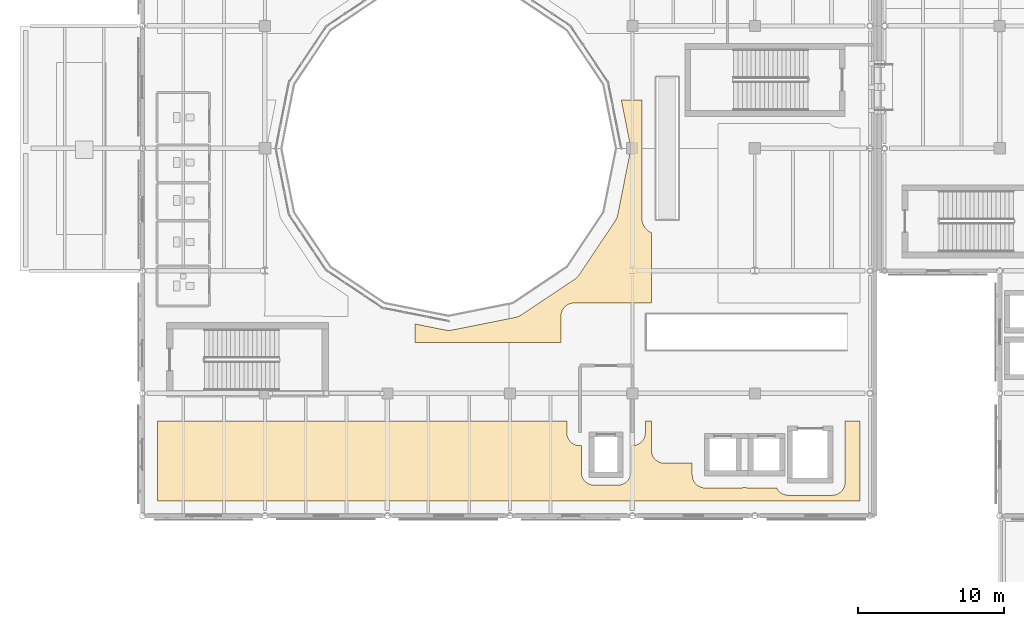
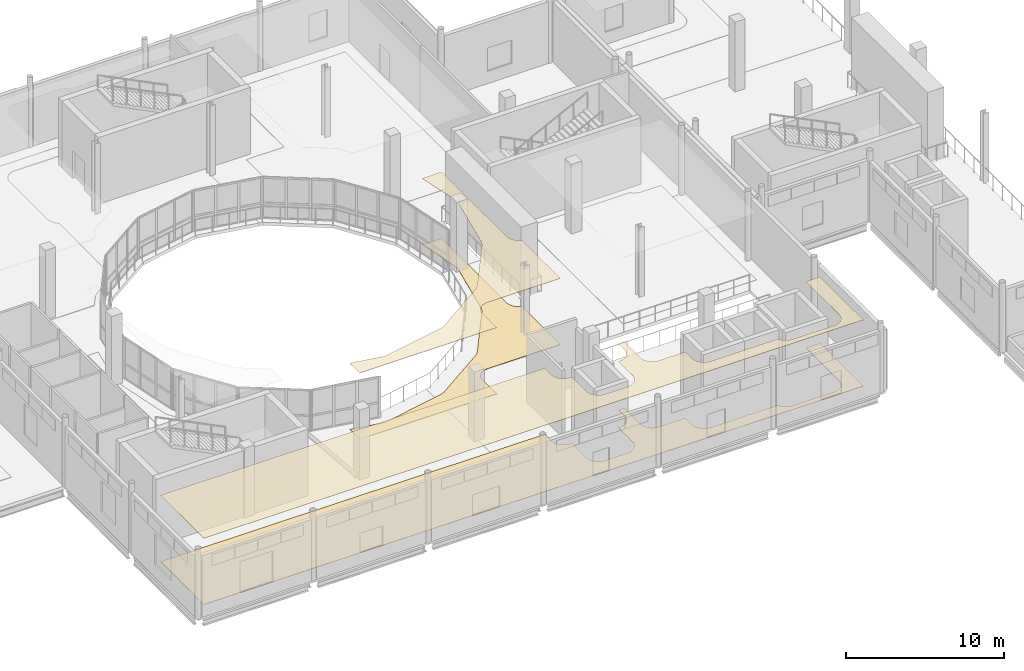
# One storey, part 88 of 110: 4 coverings.
"""IFC4 building model written with IfcOpenShell, lengths in metres."""

from ifc_helpers import new_model, si_unit, direction, frame, origin, place, context, subcontext, project, spatial, polyline, outline, extrude, material, layer, layer_set, type_object, element, save


model = new_model("IFC4")

# Units and contexts
model_context = context("Model", 3, precision=1e-05, world=origin(), true_north=direction((0.0, 1.0)))
body_context = subcontext(model_context, "Body", "Model", "MODEL_VIEW")
ifc_project = project(units=[si_unit("LENGTHUNIT", "METRE"), si_unit("AREAUNIT", "SQUARE_METRE"), si_unit("VOLUMEUNIT", "CUBIC_METRE"), si_unit("PLANEANGLEUNIT", "RADIAN"), si_unit("MASSUNIT", "GRAM", prefix="KILO"), si_unit("THERMODYNAMICTEMPERATUREUNIT", "KELVIN")], contexts=[model_context])

# Site, building, storey
site_placement = place(None, origin())
site = spatial("IfcSite", under=ifc_project, at=site_placement, CompositionType="ELEMENT")
building_placement = place(site_placement, origin())
building = spatial("IfcBuilding", under=site, at=building_placement, Name="Lustrewick Department Store", CompositionType="ELEMENT")
storey_placement = place(building_placement, frame((0.0, 0.0, 6.0)))
storey = spatial("IfcBuildingStorey", under=building, at=storey_placement, Name="L02", CompositionType="ELEMENT", Elevation=6.0)

# Coverings
ifc_material_1 = material(Name="Perforated mineral-fibre acoustic ceiling board", Category="gypsum")
ifc_layer_1 = layer(ifc_material_1, 0.02490234375, Name="Perforated mineral-fibre acoustic ceiling board")
ifc_layer_set_1 = layer_set([ifc_layer_1], Name="Perforated mineral-fibre acoustic ceiling board")
covering_type_1 = type_object("IfcCoveringType", Name="COV-CEIL", PredefinedType="CEILING", material=ifc_layer_set_1)
covering_1_placement = place(storey_placement, frame((0.0, 0.0, 5.1201171875)))
element("IfcCovering", 1, at=covering_1_placement, inside=storey, type_object=covering_type_1, Name="L02 V1 Retail Merchandise Gallery 1 Acoustic Ceiling", PredefinedType="CEILING", context=body_context, shape_type="SweptSolid", body=[
    extrude(outline(polyline([(9.419921875, 48.510009765625), (9.419921875, 43.02001953125), (57.6298828125, 43.02001953125), (57.6298828125, 48.510009765625), (56.590087890625, 48.510009765625), (56.590087890625, 44.297119140625), (56.585693359375, 44.21240234375), (56.5732421875, 44.12841796875), (56.572509765625, 44.125), (56.56884765625, 44.107421875), (56.568115234375, 44.104248046875), (56.54541015625, 44.021484375), (56.5146484375, 43.94140625), (56.513427734375, 43.938720703125), (56.51220703125, 43.936279296875), (56.47900390625, 43.869384765625), (56.476806640625, 43.865478515625), (56.439208984375, 43.80419921875), (56.396484375, 43.74609375), (56.392822265625, 43.741455078125), (56.329345703125, 43.670654296875), (56.258544921875, 43.607177734375), (56.25390625, 43.603515625), (56.19580078125, 43.560791015625), (56.134521484375, 43.523193359375), (56.130615234375, 43.52099609375), (56.063720703125, 43.48779296875), (56.061279296875, 43.486572265625), (56.05859375, 43.4853515625), (55.978515625, 43.45458984375), (55.895751953125, 43.431884765625), (55.892578125, 43.43115234375), (55.875, 43.427490234375), (55.87158203125, 43.4267578125), (55.78759765625, 43.414306640625), (55.702880859375, 43.409912109375), (52.697021484375, 43.409912109375), (52.6123046875, 43.414306640625), (52.5283203125, 43.4267578125), (52.52490234375, 43.427490234375), (52.507568359375, 43.43115234375), (52.50439453125, 43.431884765625), (52.42138671875, 43.45458984375), (52.341552734375, 43.4853515625), (52.3388671875, 43.486572265625), (52.336181640625, 43.48779296875), (52.26953125, 43.52099609375), (52.265625, 43.523193359375), (52.2041015625, 43.560791015625), (52.14599609375, 43.603515625), (52.141357421875, 43.607177734375), (52.070556640625, 43.670654296875), (52.007080078125, 43.741455078125), (52.00341796875, 43.74609375), (51.9609375, 43.80419921875), (51.92333984375, 43.865478515625), (51.921142578125, 43.869384765625), (51.90087890625, 43.909912109375), (49.9970703125, 43.909912109375), (49.912353515625, 43.914306640625), (49.828369140625, 43.9267578125), (49.824951171875, 43.927490234375), (49.8076171875, 43.93115234375), (49.80419921875, 43.931884765625), (49.721435546875, 43.95458984375), (49.699951171875, 43.962890625), (49.678466796875, 43.95458984375), (49.595703125, 43.931884765625), (49.592529296875, 43.93115234375), (49.574951171875, 43.927490234375), (49.571533203125, 43.9267578125), (49.48779296875, 43.914306640625), (49.403076171875, 43.909912109375), (46.9970703125, 43.909912109375), (46.912353515625, 43.914306640625), (46.828369140625, 43.9267578125), (46.824951171875, 43.927490234375), (46.8076171875, 43.93115234375), (46.80419921875, 43.931884765625), (46.721435546875, 43.95458984375), (46.6416015625, 43.9853515625), (46.638916015625, 43.986572265625), (46.63623046875, 43.98779296875), (46.569580078125, 44.02099609375), (46.565673828125, 44.023193359375), (46.504150390625, 44.060791015625), (46.446044921875, 44.103515625), (46.44140625, 44.107177734375), (46.37060546875, 44.170654296875), (46.30712890625, 44.241455078125), (46.303466796875, 44.24609375), (46.260986328125, 44.30419921875), (46.223388671875, 44.365478515625), (46.22119140625, 44.369384765625), (46.187744140625, 44.436279296875), (46.185302734375, 44.44140625), (46.154541015625, 44.521484375), (46.1318359375, 44.604248046875), (46.131103515625, 44.607421875), (46.12744140625, 44.625), (46.126708984375, 44.62841796875), (46.1142578125, 44.71240234375), (46.110107421875, 44.797119140625), (46.110107421875, 45.610107421875), (44.197021484375, 45.610107421875), (44.1123046875, 45.6142578125), (44.0283203125, 45.626708984375), (44.02490234375, 45.62744140625), (44.007568359375, 45.631103515625), (44.00439453125, 45.6318359375), (43.92138671875, 45.654541015625), (43.841552734375, 45.685302734375), (43.8388671875, 45.6865234375), (43.836181640625, 45.687744140625), (43.76953125, 45.72119140625), (43.765625, 45.723388671875), (43.7041015625, 45.760986328125), (43.64599609375, 45.803466796875), (43.641357421875, 45.80712890625), (43.570556640625, 45.87060546875), (43.507080078125, 45.94140625), (43.50341796875, 45.946044921875), (43.4609375, 46.004150390625), (43.42333984375, 46.065673828125), (43.421142578125, 46.069580078125), (43.3876953125, 46.13623046875), (43.385498046875, 46.1416015625), (43.3544921875, 46.221435546875), (43.331787109375, 46.30419921875), (43.3310546875, 46.3076171875), (43.327392578125, 46.324951171875), (43.32666015625, 46.328369140625), (43.314208984375, 46.412353515625), (43.31005859375, 46.4970703125), (43.31005859375, 48.510009765625), (42.889892578125, 48.510009765625), (42.889892578125, 47.697021484375), (42.8857421875, 47.6123046875), (42.873291015625, 47.5283203125), (42.87255859375, 47.52490234375), (42.868896484375, 47.507568359375), (42.8681640625, 47.50439453125), (42.845458984375, 47.42138671875), (42.814697265625, 47.341552734375), (42.8134765625, 47.3388671875), (42.812255859375, 47.336181640625), (42.77880859375, 47.26953125), (42.776611328125, 47.265625), (42.739013671875, 47.2041015625), (42.696533203125, 47.14599609375), (42.69287109375, 47.141357421875), (42.62939453125, 47.070556640625), (42.55859375, 47.007080078125), (42.553955078125, 47.00341796875), (42.495849609375, 46.9609375), (42.434326171875, 46.92333984375), (42.430419921875, 46.921142578125), (42.36376953125, 46.8876953125), (42.3583984375, 46.885498046875), (42.278564453125, 46.8544921875), (42.19580078125, 46.831787109375), (42.1923828125, 46.8310546875), (42.175048828125, 46.827392578125), (42.171630859375, 46.82666015625), (42.087646484375, 46.814208984375), (42.0029296875, 46.81005859375), (41.89990234375, 46.81005859375), (41.89990234375, 44.9990234375), (41.89892578125, 44.95703125), (41.898681640625, 44.951904296875), (41.889404296875, 44.86279296875), (41.888427734375, 44.85693359375), (41.87109375, 44.774169921875), (41.869873046875, 44.769287109375), (41.8583984375, 44.72998046875), (41.857177734375, 44.7255859375), (41.830322265625, 44.652587890625), (41.797119140625, 44.582275390625), (41.794921875, 44.578125), (41.776611328125, 44.545166015625), (41.7744140625, 44.54150390625), (41.74267578125, 44.491455078125), (41.739501953125, 44.4873046875), (41.692138671875, 44.424560546875), (41.638916015625, 44.3662109375), (41.6337890625, 44.361083984375), (41.575439453125, 44.307861328125), (41.5126953125, 44.260498046875), (41.508544921875, 44.25732421875), (41.45849609375, 44.2255859375), (41.454833984375, 44.223388671875), (41.421875, 44.205078125), (41.417724609375, 44.202880859375), (41.347412109375, 44.169677734375), (41.2744140625, 44.142822265625), (41.27001953125, 44.1416015625), (41.230712890625, 44.130126953125), (41.225830078125, 44.12890625), (41.14306640625, 44.111572265625), (41.13720703125, 44.110595703125), (41.048095703125, 44.101318359375), (41.04296875, 44.10107421875), (41.0009765625, 44.10009765625), (39.39892578125, 44.10009765625), (39.357177734375, 44.10107421875), (39.351806640625, 44.101318359375), (39.262939453125, 44.110595703125), (39.2568359375, 44.111572265625), (39.174072265625, 44.12890625), (39.169189453125, 44.130126953125), (39.130126953125, 44.1416015625), (39.12548828125, 44.142822265625), (39.052490234375, 44.169677734375), (38.982177734375, 44.202880859375), (38.97802734375, 44.205078125), (38.9453125, 44.223388671875), (38.94140625, 44.2255859375), (38.8916015625, 44.25732421875), (38.88720703125, 44.260498046875), (38.824462890625, 44.307861328125), (38.766357421875, 44.361083984375), (38.760986328125, 44.3662109375), (38.7080078125, 44.424560546875), (38.660400390625, 44.4873046875), (38.657470703125, 44.491455078125), (38.62548828125, 44.54150390625), (38.623291015625, 44.545166015625), (38.60498046875, 44.578125), (38.602783203125, 44.582275390625), (38.569580078125, 44.652587890625), (38.54296875, 44.7255859375), (38.54150390625, 44.72998046875), (38.530029296875, 44.769287109375), (38.52880859375, 44.774169921875), (38.511474609375, 44.85693359375), (38.510498046875, 44.86279296875), (38.501220703125, 44.951904296875), (38.5009765625, 44.95703125), (38.5, 44.9990234375), (38.5, 46.81005859375), (38.39697265625, 46.81005859375), (38.312255859375, 46.814208984375), (38.228515625, 46.82666015625), (38.22509765625, 46.827392578125), (38.20751953125, 46.8310546875), (38.204345703125, 46.831787109375), (38.12158203125, 46.8544921875), (38.04150390625, 46.885498046875), (38.036376953125, 46.8876953125), (37.969482421875, 46.921142578125), (37.965576171875, 46.92333984375), (37.904052734375, 46.9609375), (37.845947265625, 47.00341796875), (37.84130859375, 47.007080078125), (37.7705078125, 47.070556640625), (37.70703125, 47.141357421875), (37.70361328125, 47.14599609375), (37.660888671875, 47.2041015625), (37.623291015625, 47.265625), (37.62109375, 47.26953125), (37.587890625, 47.336181640625), (37.586669921875, 47.3388671875), (37.58544921875, 47.341552734375), (37.554443359375, 47.42138671875), (37.53173828125, 47.50439453125), (37.531005859375, 47.507568359375), (37.52734375, 47.52490234375), (37.526611328125, 47.5283203125), (37.51416015625, 47.6123046875), (37.510009765625, 47.697021484375), (37.510009765625, 48.510009765625), (9.419921875, 48.510009765625)])), origin(), (0.0, 0.0, 1.0), 0.02490234375),
])
covering_2_placement = place(storey_placement, frame((0.0, 0.0, 5.1201171875)))
element("IfcCovering", 2, at=covering_2_placement, inside=storey, type_object=covering_type_1, Name="L02 V1 Retail Merchandise Gallery 3 Acoustic Ceiling", PredefinedType="CEILING", context=body_context, shape_type="SweptSolid", body=[
    extrude(outline(polyline([(40.9765625, 62.56298828125), (40.95263671875, 62.48388671875), (40.944580078125, 62.4619140625), (40.913818359375, 62.38720703125), (40.903564453125, 62.36572265625), (40.86376953125, 62.29150390625), (40.852294921875, 62.272216796875), (40.830810546875, 62.23828125), (38.3583984375, 58.5380859375), (38.335205078125, 58.5048828125), (38.321533203125, 58.48681640625), (38.267578125, 58.421142578125), (38.251953125, 58.40380859375), (38.1962890625, 58.34814453125), (38.1787109375, 58.332275390625), (38.11328125, 58.2783203125), (38.094970703125, 58.264892578125), (38.061767578125, 58.241455078125), (34.36181640625, 55.769287109375), (34.327880859375, 55.747802734375), (34.30859375, 55.736083984375), (34.234375, 55.6962890625), (34.212890625, 55.686279296875), (34.137939453125, 55.6552734375), (34.115966796875, 55.6474609375), (34.037109375, 55.623291015625), (34.01513671875, 55.617919921875), (33.974365234375, 55.608642578125), (29.609619140625, 54.740478515625), (29.56591796875, 54.73291015625), (29.54345703125, 54.729736328125), (29.46630859375, 54.72216796875), (29.44287109375, 54.720947265625), (29.357177734375, 54.720947265625), (29.333740234375, 54.72216796875), (29.256591796875, 54.729736328125), (29.234130859375, 54.73291015625), (29.1904296875, 54.740478515625), (27.090087890625, 55.158203125), (27.090087890625, 53.889892578125), (37.110107421875, 53.889892578125), (37.110107421875, 55.702880859375), (37.1142578125, 55.78759765625), (37.126708984375, 55.87158203125), (37.12744140625, 55.875), (37.131103515625, 55.892578125), (37.1318359375, 55.895751953125), (37.154541015625, 55.978515625), (37.185302734375, 56.05859375), (37.187744140625, 56.063720703125), (37.22119140625, 56.130615234375), (37.223388671875, 56.134521484375), (37.260986328125, 56.19580078125), (37.303466796875, 56.25390625), (37.30712890625, 56.258544921875), (37.37060546875, 56.329345703125), (37.44140625, 56.392822265625), (37.446044921875, 56.396484375), (37.504150390625, 56.439208984375), (37.565673828125, 56.476806640625), (37.569580078125, 56.47900390625), (37.63623046875, 56.51220703125), (37.638916015625, 56.513427734375), (37.6416015625, 56.5146484375), (37.721435546875, 56.54541015625), (37.80419921875, 56.568115234375), (37.8076171875, 56.56884765625), (37.824951171875, 56.572509765625), (37.828369140625, 56.5732421875), (37.912353515625, 56.585693359375), (37.9970703125, 56.590087890625), (42.403076171875, 56.590087890625), (42.48779296875, 56.585693359375), (42.526611328125, 56.580078125), (43.31005859375, 56.580078125), (43.31005859375, 61.43115234375), (43.234619140625, 61.46240234375), (43.22216796875, 61.468505859375), (43.15185546875, 61.506103515625), (43.139892578125, 61.51318359375), (43.07080078125, 61.5595703125), (43.06005859375, 61.567626953125), (42.997802734375, 61.61865234375), (42.987548828125, 61.6279296875), (42.927978515625, 61.6875), (42.918701171875, 61.697998046875), (42.86767578125, 61.760009765625), (42.859619140625, 61.77099609375), (42.813232421875, 61.83984375), (42.80615234375, 61.851806640625), (42.768310546875, 61.922119140625), (42.762451171875, 61.9345703125), (42.72900390625, 62.015380859375), (42.724365234375, 62.028564453125), (42.70166015625, 62.103515625), (42.6982421875, 62.116943359375), (42.68115234375, 62.20263671875), (42.67919921875, 62.21630859375), (42.671630859375, 62.29345703125), (42.671142578125, 62.30615234375), (42.669921875, 62.34912109375), (42.669921875, 70.510009765625), (41.242919921875, 70.510009765625), (41.859619140625, 67.40966796875), (41.866943359375, 67.36572265625), (41.8701171875, 67.343505859375), (41.877685546875, 67.266357421875), (41.87890625, 67.242919921875), (41.87890625, 67.1572265625), (41.877685546875, 67.1337890625), (41.8701171875, 67.056396484375), (41.866943359375, 67.0341796875), (41.859619140625, 66.990478515625), (40.9912109375, 62.625732421875), (40.982177734375, 62.5849609375), (40.9765625, 62.56298828125)])), origin(), (0.0, 0.0, 1.0), 0.02490234375),
])
ifc_material_2 = material(Name="Polished terrazzo and porcelain floor finish", Category="masonry")
ifc_layer_2 = layer(ifc_material_2, 0.02001953125, Name="Polished terrazzo and porcelain floor finish")
ifc_layer_set_2 = layer_set([ifc_layer_2], Name="Polished terrazzo and porcelain floor finish")
covering_type_2 = type_object("IfcCoveringType", Name="COV-FLR", PredefinedType="FLOORING", material=ifc_layer_set_2)
covering_3_placement = place(storey_placement, origin())
element("IfcCovering", 3, at=covering_3_placement, inside=storey, type_object=covering_type_2, Name="L02 V1 Retail Merchandise Gallery 1 Terrazzo Flooring", PredefinedType="FLOORING", context=body_context, shape_type="SweptSolid", body=[
    extrude(outline(polyline([(9.419921875, 48.510009765625), (9.419921875, 43.02001953125), (57.6298828125, 43.02001953125), (57.6298828125, 48.510009765625), (56.590087890625, 48.510009765625), (56.590087890625, 44.297119140625), (56.585693359375, 44.21240234375), (56.5732421875, 44.12841796875), (56.572509765625, 44.125), (56.56884765625, 44.107421875), (56.568115234375, 44.104248046875), (56.54541015625, 44.021484375), (56.5146484375, 43.94140625), (56.513427734375, 43.938720703125), (56.51220703125, 43.936279296875), (56.47900390625, 43.869384765625), (56.476806640625, 43.865478515625), (56.439208984375, 43.80419921875), (56.396484375, 43.74609375), (56.392822265625, 43.741455078125), (56.329345703125, 43.670654296875), (56.258544921875, 43.607177734375), (56.25390625, 43.603515625), (56.19580078125, 43.560791015625), (56.134521484375, 43.523193359375), (56.130615234375, 43.52099609375), (56.063720703125, 43.48779296875), (56.061279296875, 43.486572265625), (56.05859375, 43.4853515625), (55.978515625, 43.45458984375), (55.895751953125, 43.431884765625), (55.892578125, 43.43115234375), (55.875, 43.427490234375), (55.87158203125, 43.4267578125), (55.78759765625, 43.414306640625), (55.702880859375, 43.409912109375), (52.697021484375, 43.409912109375), (52.6123046875, 43.414306640625), (52.5283203125, 43.4267578125), (52.52490234375, 43.427490234375), (52.507568359375, 43.43115234375), (52.50439453125, 43.431884765625), (52.42138671875, 43.45458984375), (52.341552734375, 43.4853515625), (52.3388671875, 43.486572265625), (52.336181640625, 43.48779296875), (52.26953125, 43.52099609375), (52.265625, 43.523193359375), (52.2041015625, 43.560791015625), (52.14599609375, 43.603515625), (52.141357421875, 43.607177734375), (52.070556640625, 43.670654296875), (52.007080078125, 43.741455078125), (52.00341796875, 43.74609375), (51.9609375, 43.80419921875), (51.92333984375, 43.865478515625), (51.921142578125, 43.869384765625), (51.90087890625, 43.909912109375), (49.9970703125, 43.909912109375), (49.912353515625, 43.914306640625), (49.828369140625, 43.9267578125), (49.824951171875, 43.927490234375), (49.8076171875, 43.93115234375), (49.80419921875, 43.931884765625), (49.721435546875, 43.95458984375), (49.699951171875, 43.962890625), (49.678466796875, 43.95458984375), (49.595703125, 43.931884765625), (49.592529296875, 43.93115234375), (49.574951171875, 43.927490234375), (49.571533203125, 43.9267578125), (49.48779296875, 43.914306640625), (49.403076171875, 43.909912109375), (46.9970703125, 43.909912109375), (46.912353515625, 43.914306640625), (46.828369140625, 43.9267578125), (46.824951171875, 43.927490234375), (46.8076171875, 43.93115234375), (46.80419921875, 43.931884765625), (46.721435546875, 43.95458984375), (46.6416015625, 43.9853515625), (46.638916015625, 43.986572265625), (46.63623046875, 43.98779296875), (46.569580078125, 44.02099609375), (46.565673828125, 44.023193359375), (46.504150390625, 44.060791015625), (46.446044921875, 44.103515625), (46.44140625, 44.107177734375), (46.37060546875, 44.170654296875), (46.30712890625, 44.241455078125), (46.303466796875, 44.24609375), (46.260986328125, 44.30419921875), (46.223388671875, 44.365478515625), (46.22119140625, 44.369384765625), (46.187744140625, 44.436279296875), (46.185302734375, 44.44140625), (46.154541015625, 44.521484375), (46.1318359375, 44.604248046875), (46.131103515625, 44.607421875), (46.12744140625, 44.625), (46.126708984375, 44.62841796875), (46.1142578125, 44.71240234375), (46.110107421875, 44.797119140625), (46.110107421875, 45.610107421875), (44.197021484375, 45.610107421875), (44.1123046875, 45.6142578125), (44.0283203125, 45.626708984375), (44.02490234375, 45.62744140625), (44.007568359375, 45.631103515625), (44.00439453125, 45.6318359375), (43.92138671875, 45.654541015625), (43.841552734375, 45.685302734375), (43.8388671875, 45.6865234375), (43.836181640625, 45.687744140625), (43.76953125, 45.72119140625), (43.765625, 45.723388671875), (43.7041015625, 45.760986328125), (43.64599609375, 45.803466796875), (43.641357421875, 45.80712890625), (43.570556640625, 45.87060546875), (43.507080078125, 45.94140625), (43.50341796875, 45.946044921875), (43.4609375, 46.004150390625), (43.42333984375, 46.065673828125), (43.421142578125, 46.069580078125), (43.3876953125, 46.13623046875), (43.385498046875, 46.1416015625), (43.3544921875, 46.221435546875), (43.331787109375, 46.30419921875), (43.3310546875, 46.3076171875), (43.327392578125, 46.324951171875), (43.32666015625, 46.328369140625), (43.314208984375, 46.412353515625), (43.31005859375, 46.4970703125), (43.31005859375, 48.510009765625), (42.889892578125, 48.510009765625), (42.889892578125, 47.697021484375), (42.8857421875, 47.6123046875), (42.873291015625, 47.5283203125), (42.87255859375, 47.52490234375), (42.868896484375, 47.507568359375), (42.8681640625, 47.50439453125), (42.845458984375, 47.42138671875), (42.814697265625, 47.341552734375), (42.8134765625, 47.3388671875), (42.812255859375, 47.336181640625), (42.77880859375, 47.26953125), (42.776611328125, 47.265625), (42.739013671875, 47.2041015625), (42.696533203125, 47.14599609375), (42.69287109375, 47.141357421875), (42.62939453125, 47.070556640625), (42.55859375, 47.007080078125), (42.553955078125, 47.00341796875), (42.495849609375, 46.9609375), (42.434326171875, 46.92333984375), (42.430419921875, 46.921142578125), (42.36376953125, 46.8876953125), (42.3583984375, 46.885498046875), (42.278564453125, 46.8544921875), (42.19580078125, 46.831787109375), (42.1923828125, 46.8310546875), (42.175048828125, 46.827392578125), (42.171630859375, 46.82666015625), (42.087646484375, 46.814208984375), (42.0029296875, 46.81005859375), (41.89990234375, 46.81005859375), (41.89990234375, 44.9990234375), (41.89892578125, 44.95703125), (41.898681640625, 44.951904296875), (41.889404296875, 44.86279296875), (41.888427734375, 44.85693359375), (41.87109375, 44.774169921875), (41.869873046875, 44.769287109375), (41.8583984375, 44.72998046875), (41.857177734375, 44.7255859375), (41.830322265625, 44.652587890625), (41.797119140625, 44.582275390625), (41.794921875, 44.578125), (41.776611328125, 44.545166015625), (41.7744140625, 44.54150390625), (41.74267578125, 44.491455078125), (41.739501953125, 44.4873046875), (41.692138671875, 44.424560546875), (41.638916015625, 44.3662109375), (41.6337890625, 44.361083984375), (41.575439453125, 44.307861328125), (41.5126953125, 44.260498046875), (41.508544921875, 44.25732421875), (41.45849609375, 44.2255859375), (41.454833984375, 44.223388671875), (41.421875, 44.205078125), (41.417724609375, 44.202880859375), (41.347412109375, 44.169677734375), (41.2744140625, 44.142822265625), (41.27001953125, 44.1416015625), (41.230712890625, 44.130126953125), (41.225830078125, 44.12890625), (41.14306640625, 44.111572265625), (41.13720703125, 44.110595703125), (41.048095703125, 44.101318359375), (41.04296875, 44.10107421875), (41.0009765625, 44.10009765625), (39.39892578125, 44.10009765625), (39.357177734375, 44.10107421875), (39.351806640625, 44.101318359375), (39.262939453125, 44.110595703125), (39.2568359375, 44.111572265625), (39.174072265625, 44.12890625), (39.169189453125, 44.130126953125), (39.130126953125, 44.1416015625), (39.12548828125, 44.142822265625), (39.052490234375, 44.169677734375), (38.982177734375, 44.202880859375), (38.97802734375, 44.205078125), (38.9453125, 44.223388671875), (38.94140625, 44.2255859375), (38.8916015625, 44.25732421875), (38.88720703125, 44.260498046875), (38.824462890625, 44.307861328125), (38.766357421875, 44.361083984375), (38.760986328125, 44.3662109375), (38.7080078125, 44.424560546875), (38.660400390625, 44.4873046875), (38.657470703125, 44.491455078125), (38.62548828125, 44.54150390625), (38.623291015625, 44.545166015625), (38.60498046875, 44.578125), (38.602783203125, 44.582275390625), (38.569580078125, 44.652587890625), (38.54296875, 44.7255859375), (38.54150390625, 44.72998046875), (38.530029296875, 44.769287109375), (38.52880859375, 44.774169921875), (38.511474609375, 44.85693359375), (38.510498046875, 44.86279296875), (38.501220703125, 44.951904296875), (38.5009765625, 44.95703125), (38.5, 44.9990234375), (38.5, 46.81005859375), (38.39697265625, 46.81005859375), (38.312255859375, 46.814208984375), (38.228515625, 46.82666015625), (38.22509765625, 46.827392578125), (38.20751953125, 46.8310546875), (38.204345703125, 46.831787109375), (38.12158203125, 46.8544921875), (38.04150390625, 46.885498046875), (38.036376953125, 46.8876953125), (37.969482421875, 46.921142578125), (37.965576171875, 46.92333984375), (37.904052734375, 46.9609375), (37.845947265625, 47.00341796875), (37.84130859375, 47.007080078125), (37.7705078125, 47.070556640625), (37.70703125, 47.141357421875), (37.70361328125, 47.14599609375), (37.660888671875, 47.2041015625), (37.623291015625, 47.265625), (37.62109375, 47.26953125), (37.587890625, 47.336181640625), (37.586669921875, 47.3388671875), (37.58544921875, 47.341552734375), (37.554443359375, 47.42138671875), (37.53173828125, 47.50439453125), (37.531005859375, 47.507568359375), (37.52734375, 47.52490234375), (37.526611328125, 47.5283203125), (37.51416015625, 47.6123046875), (37.510009765625, 47.697021484375), (37.510009765625, 48.510009765625), (9.419921875, 48.510009765625)])), origin(), (0.0, 0.0, 1.0), 0.02001953125),
])
covering_4_placement = place(storey_placement, origin())
element("IfcCovering", 4, at=covering_4_placement, inside=storey, type_object=covering_type_2, Name="L02 V1 Retail Merchandise Gallery 3 Terrazzo Flooring", PredefinedType="FLOORING", context=body_context, shape_type="SweptSolid", body=[
    extrude(outline(polyline([(40.9765625, 62.56298828125), (40.95263671875, 62.48388671875), (40.944580078125, 62.4619140625), (40.913818359375, 62.38720703125), (40.903564453125, 62.36572265625), (40.86376953125, 62.29150390625), (40.852294921875, 62.272216796875), (40.830810546875, 62.23828125), (38.3583984375, 58.5380859375), (38.335205078125, 58.5048828125), (38.321533203125, 58.48681640625), (38.267578125, 58.421142578125), (38.251953125, 58.40380859375), (38.1962890625, 58.34814453125), (38.1787109375, 58.332275390625), (38.11328125, 58.2783203125), (38.094970703125, 58.264892578125), (38.061767578125, 58.241455078125), (34.36181640625, 55.769287109375), (34.327880859375, 55.747802734375), (34.30859375, 55.736083984375), (34.234375, 55.6962890625), (34.212890625, 55.686279296875), (34.137939453125, 55.6552734375), (34.115966796875, 55.6474609375), (34.037109375, 55.623291015625), (34.01513671875, 55.617919921875), (33.974365234375, 55.608642578125), (29.609619140625, 54.740478515625), (29.56591796875, 54.73291015625), (29.54345703125, 54.729736328125), (29.46630859375, 54.72216796875), (29.44287109375, 54.720947265625), (29.357177734375, 54.720947265625), (29.333740234375, 54.72216796875), (29.256591796875, 54.729736328125), (29.234130859375, 54.73291015625), (29.1904296875, 54.740478515625), (27.090087890625, 55.158203125), (27.090087890625, 53.889892578125), (37.110107421875, 53.889892578125), (37.110107421875, 55.702880859375), (37.1142578125, 55.78759765625), (37.126708984375, 55.87158203125), (37.12744140625, 55.875), (37.131103515625, 55.892578125), (37.1318359375, 55.895751953125), (37.154541015625, 55.978515625), (37.185302734375, 56.05859375), (37.187744140625, 56.063720703125), (37.22119140625, 56.130615234375), (37.223388671875, 56.134521484375), (37.260986328125, 56.19580078125), (37.303466796875, 56.25390625), (37.30712890625, 56.258544921875), (37.37060546875, 56.329345703125), (37.44140625, 56.392822265625), (37.446044921875, 56.396484375), (37.504150390625, 56.439208984375), (37.565673828125, 56.476806640625), (37.569580078125, 56.47900390625), (37.63623046875, 56.51220703125), (37.638916015625, 56.513427734375), (37.6416015625, 56.5146484375), (37.721435546875, 56.54541015625), (37.80419921875, 56.568115234375), (37.8076171875, 56.56884765625), (37.824951171875, 56.572509765625), (37.828369140625, 56.5732421875), (37.912353515625, 56.585693359375), (37.9970703125, 56.590087890625), (42.403076171875, 56.590087890625), (42.48779296875, 56.585693359375), (42.526611328125, 56.580078125), (43.31005859375, 56.580078125), (43.31005859375, 61.43115234375), (43.234619140625, 61.46240234375), (43.22216796875, 61.468505859375), (43.15185546875, 61.506103515625), (43.139892578125, 61.51318359375), (43.07080078125, 61.5595703125), (43.06005859375, 61.567626953125), (42.997802734375, 61.61865234375), (42.987548828125, 61.6279296875), (42.927978515625, 61.6875), (42.918701171875, 61.697998046875), (42.86767578125, 61.760009765625), (42.859619140625, 61.77099609375), (42.813232421875, 61.83984375), (42.80615234375, 61.851806640625), (42.768310546875, 61.922119140625), (42.762451171875, 61.9345703125), (42.72900390625, 62.015380859375), (42.724365234375, 62.028564453125), (42.70166015625, 62.103515625), (42.6982421875, 62.116943359375), (42.68115234375, 62.20263671875), (42.67919921875, 62.21630859375), (42.671630859375, 62.29345703125), (42.671142578125, 62.30615234375), (42.669921875, 62.34912109375), (42.669921875, 70.510009765625), (41.242919921875, 70.510009765625), (41.859619140625, 67.40966796875), (41.866943359375, 67.36572265625), (41.8701171875, 67.343505859375), (41.877685546875, 67.266357421875), (41.87890625, 67.242919921875), (41.87890625, 67.1572265625), (41.877685546875, 67.1337890625), (41.8701171875, 67.056396484375), (41.866943359375, 67.0341796875), (41.859619140625, 66.990478515625), (40.9912109375, 62.625732421875), (40.982177734375, 62.5849609375), (40.9765625, 62.56298828125)])), origin(), (0.0, 0.0, 1.0), 0.02001953125),
])

save(model, "model.ifc")
